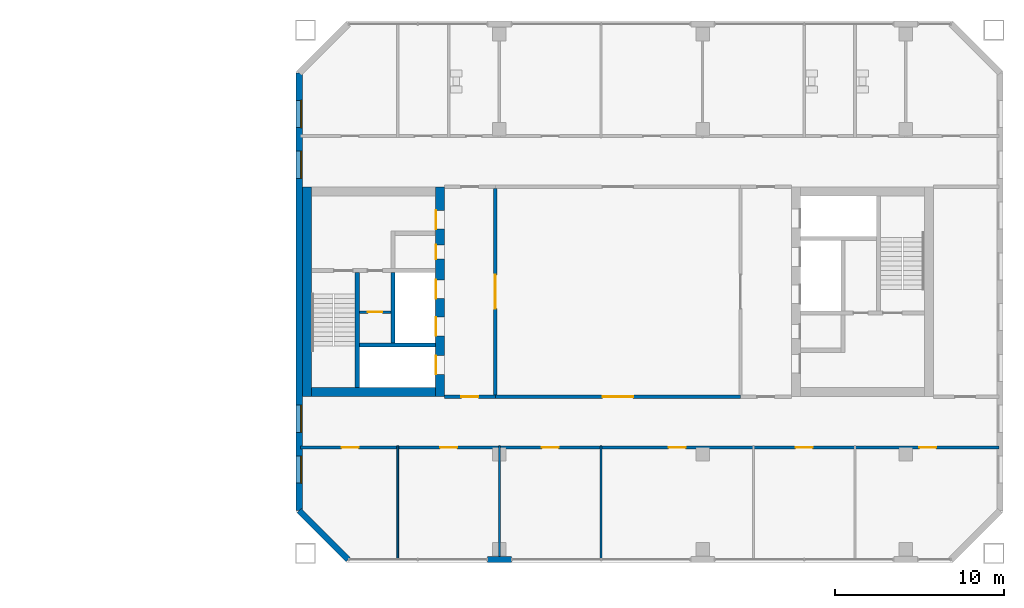
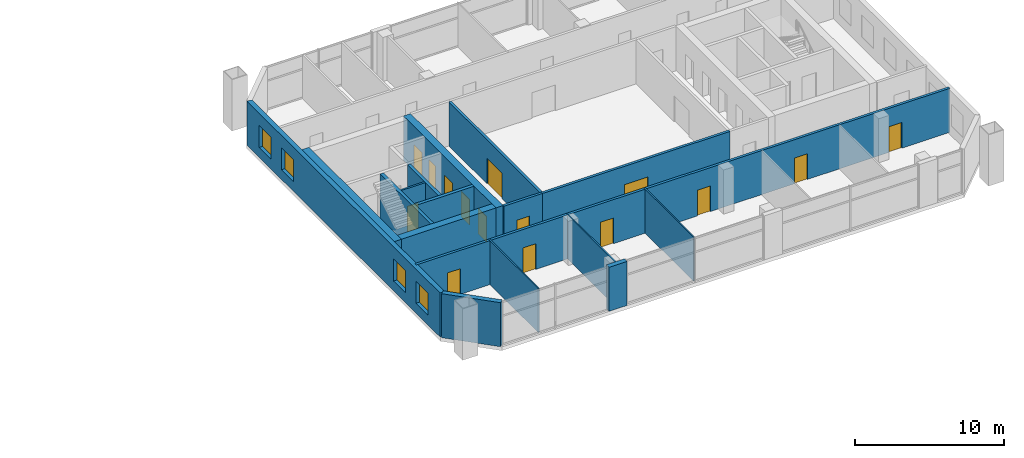
# One storey, part 12 of 17: 17 walls, 15 doors, 4 windows, 19 openings.
"""IFC4 building model written with IfcOpenShell, lengths in metres."""

from ifc_helpers import new_model, si_unit, direction, frame, frame_2d, origin, place, context, subcontext, project, spatial, rectangle, extrude, material, layer, layer_set, type_object, element, fill, save


model = new_model("IFC4")

# Units and contexts
model_context = context("Model", 3, precision=1e-05, world=origin(), true_north=direction((0.0, 1.0)))
body_context = subcontext(model_context, "Body", "Model", "MODEL_VIEW")
ifc_project = project(units=[si_unit("LENGTHUNIT", "METRE"), si_unit("AREAUNIT", "SQUARE_METRE"), si_unit("VOLUMEUNIT", "CUBIC_METRE"), si_unit("PLANEANGLEUNIT", "RADIAN"), si_unit("MASSUNIT", "GRAM", prefix="KILO")], contexts=[model_context])

# Site, building, storey
site_placement = place(None, origin())
site = spatial("IfcSite", under=ifc_project, at=site_placement, CompositionType="ELEMENT")
building_placement = place(site_placement, origin())
building = spatial("IfcBuilding", under=site, at=building_placement, Name="Tuart Gate Housing", CompositionType="ELEMENT")
storey_placement = place(building_placement, frame((0.0, 0.0, 119.5)))
storey = spatial("IfcBuildingStorey", under=building, at=storey_placement, Name="L33", CompositionType="ELEMENT", Elevation=119.5)

# Walls
ifc_material_1 = material(Name="Brick", Category="masonry")
ifc_layer_1 = layer(ifc_material_1, 0.360107421875)
ifc_layer_set_1 = layer_set([ifc_layer_1], Name="Brick pier and spandrel wall 360")
wall_type_1 = type_object("IfcWallType", Name="Brick pier and spandrel wall 360", PredefinedType="STANDARD", material=ifc_layer_set_1)
wall_1_placement = place(storey_placement, frame((131.179931640625, 57.07470703125, 0.0), z_axis=(0.0, 0.0, 1.0), x_axis=(0.707106781187, -0.707106781187, 0.0)))
element("IfcWall", 1, at=wall_1_placement, inside=storey, type_object=wall_type_1, Name="External wall B-SW L33", PredefinedType="STANDARD", context=body_context, shape_type="SweptSolid", body=[
    extrude(rectangle(XDim=4.09375, YDim=0.360107421875, at=frame_2d((2.046875, 0.0))), origin(), (0.0, 0.0, 1.0), 3.60009765625),
])
wall_2_placement = place(storey_placement, frame((142.300048828125, 54.179931640625, 0.0), z_axis=(0.0, 0.0, 1.0), x_axis=(1.0, 0.0, 0.0)))
element("IfcWall", 2, at=wall_2_placement, inside=storey, type_object=wall_type_1, Name="External wall B-S L33", PredefinedType="STANDARD", context=body_context, shape_type="SweptSolid", body=[
    extrude(rectangle(XDim=1.39990234375, YDim=0.360107421875, at=frame_2d((0.699951171875, 0.0))), origin(), (0.0, 0.0, 1.0), 3.60009765625),
])

# Wall, openings, windows
wall_3_placement = place(storey_placement, frame((131.179931640625, 82.92529296875, 0.0), z_axis=(0.0, 0.0, 1.0), x_axis=(0.0, -1.0, 0.0)))
wall_3 = element("IfcWall", 3, at=wall_3_placement, inside=storey, type_object=wall_type_1, Name="External wall B-W L33", PredefinedType="STANDARD", context=body_context, shape_type="SweptSolid", body=[
    extrude(rectangle(XDim=25.850830078125, YDim=0.360107421875, at=frame_2d((12.92529296875, 0.0))), origin(), (0.0, 0.0, 1.0), 3.60009765625),
])
opening_1_placement = place(wall_3_placement, frame((1.62548828125, 0.0, 0.800048828125)))
opening_1 = element("IfcOpeningElement", 4, at=opening_1_placement, cuts=wall_3, Name="Opening W1", PredefinedType="OPENING", context=body_context, shape_type="SweptSolid", body=[
    extrude(rectangle(XDim=1.60009765625, YDim=1.800048828125, at=frame_2d((0.800048828125, 0.89990234375))), frame((0.0, 0.18994140625, 0.0), z_axis=(0.0, -1.0, 0.0), x_axis=(1.0, 0.0, 0.0)), (0.0, 0.0, 1.0), 0.380126953125),
])
opening_2_placement = place(wall_3_placement, frame((4.62548828125, 0.0, 0.800048828125)))
opening_2 = element("IfcOpeningElement", 5, at=opening_2_placement, cuts=wall_3, Name="Opening W1", PredefinedType="OPENING", context=body_context, shape_type="SweptSolid", body=[
    extrude(rectangle(XDim=1.60009765625, YDim=1.800048828125, at=frame_2d((0.800048828125, 0.89990234375))), frame((0.0, 0.18994140625, 0.0), z_axis=(0.0, -1.0, 0.0), x_axis=(1.0, 0.0, 0.0)), (0.0, 0.0, 1.0), 0.380126953125),
])
opening_3_placement = place(wall_3_placement, frame((19.62548828125, 0.0, 0.800048828125)))
opening_3 = element("IfcOpeningElement", 6, at=opening_3_placement, cuts=wall_3, Name="Opening W1", PredefinedType="OPENING", context=body_context, shape_type="SweptSolid", body=[
    extrude(rectangle(XDim=1.60009765625, YDim=1.800048828125, at=frame_2d((0.800048828125, 0.89990234375))), frame((0.0, 0.18994140625, 0.0), z_axis=(0.0, -1.0, 0.0), x_axis=(1.0, 0.0, 0.0)), (0.0, 0.0, 1.0), 0.380126953125),
])
opening_4_placement = place(wall_3_placement, frame((22.62548828125, 0.0, 0.800048828125)))
opening_4 = element("IfcOpeningElement", 7, at=opening_4_placement, cuts=wall_3, Name="Opening W1", PredefinedType="OPENING", context=body_context, shape_type="SweptSolid", body=[
    extrude(rectangle(XDim=1.60009765625, YDim=1.800048828125, at=frame_2d((0.800048828125, 0.89990234375))), frame((0.0, 0.18994140625, 0.0), z_axis=(0.0, -1.0, 0.0), x_axis=(1.0, 0.0, 0.0)), (0.0, 0.0, 1.0), 0.380126953125),
])
ifc_material_2 = material(Name="Aluminium frame with clear glass", Category="aluminium")
window_type = type_object("IfcWindowType", Name="Punched window 1600 x 1800", PartitioningType="SINGLE_PANEL", PredefinedType="WINDOW", material=ifc_material_2)
window_1_placement = place(opening_1_placement, origin())
window_1 = element("IfcWindow", 8, at=window_1_placement, inside=storey, type_object=window_type, Name="Window W1", OverallHeight=1.800048828125, OverallWidth=1.60009765625, PartitioningType="SINGLE_PANEL", PredefinedType="WINDOW", context=body_context, shape_type="SweptSolid", body=[
    extrude(rectangle(XDim=1.60009765625, YDim=1.800048828125, at=frame_2d((0.800048828125, 0.89990234375))), frame((0.0, 0.150146484375, 0.0), z_axis=(0.0, -1.0, 0.0), x_axis=(1.0, 0.0, 0.0)), (0.0, 0.0, 1.0), 0.06005859375),
])
fill(opening_1, window_1)
window_2_placement = place(opening_2_placement, origin())
window_2 = element("IfcWindow", 9, at=window_2_placement, inside=storey, type_object=window_type, Name="Window W1", OverallHeight=1.800048828125, OverallWidth=1.60009765625, PartitioningType="SINGLE_PANEL", PredefinedType="WINDOW", context=body_context, shape_type="SweptSolid", body=[
    extrude(rectangle(XDim=1.60009765625, YDim=1.800048828125, at=frame_2d((0.800048828125, 0.89990234375))), frame((0.0, 0.150146484375, 0.0), z_axis=(0.0, -1.0, 0.0), x_axis=(1.0, 0.0, 0.0)), (0.0, 0.0, 1.0), 0.06005859375),
])
fill(opening_2, window_2)
window_3_placement = place(opening_3_placement, origin())
window_3 = element("IfcWindow", 10, at=window_3_placement, inside=storey, type_object=window_type, Name="Window W1", OverallHeight=1.800048828125, OverallWidth=1.60009765625, PartitioningType="SINGLE_PANEL", PredefinedType="WINDOW", context=body_context, shape_type="SweptSolid", body=[
    extrude(rectangle(XDim=1.60009765625, YDim=1.800048828125, at=frame_2d((0.800048828125, 0.89990234375))), frame((0.0, 0.150146484375, 0.0), z_axis=(0.0, -1.0, 0.0), x_axis=(1.0, 0.0, 0.0)), (0.0, 0.0, 1.0), 0.06005859375),
])
fill(opening_3, window_3)
window_4_placement = place(opening_4_placement, origin())
window_4 = element("IfcWindow", 11, at=window_4_placement, inside=storey, type_object=window_type, Name="Window W1", OverallHeight=1.800048828125, OverallWidth=1.60009765625, PartitioningType="SINGLE_PANEL", PredefinedType="WINDOW", context=body_context, shape_type="SweptSolid", body=[
    extrude(rectangle(XDim=1.60009765625, YDim=1.800048828125, at=frame_2d((0.800048828125, 0.89990234375))), frame((0.0, 0.150146484375, 0.0), z_axis=(0.0, -1.0, 0.0), x_axis=(1.0, 0.0, 0.0)), (0.0, 0.0, 1.0), 0.06005859375),
])
fill(opening_4, window_4)

# Wall, opening, door
ifc_material_3 = material(Name="Plasterboard partition")
ifc_layer_2 = layer(ifc_material_3, 0.14990234375)
ifc_layer_set_2 = layer_set([ifc_layer_2], Name="Core partition 150")
wall_type_2 = type_object("IfcWallType", Name="Core partition 150", PredefinedType="PARTITIONING", material=ifc_layer_set_2)
wall_4_placement = place(storey_placement, frame((136.5849609375, 68.800048828125, 0.0), z_axis=(0.0, 0.0, 1.0), x_axis=(-1.0, 0.0, 0.0)))
wall_4 = element("IfcWall", 12, at=wall_4_placement, inside=storey, type_object=wall_type_2, Name="Core partition BG.2", PredefinedType="PARTITIONING", context=body_context, shape_type="SweptSolid", body=[
    extrude(rectangle(XDim=1.849853515625, YDim=0.14990234375, at=frame_2d((0.9248046875, 0.0))), origin(), (0.0, 0.0, 1.0), 3.60009765625),
])
opening_5_placement = place(wall_4_placement, frame((0.5, 0.0, 0.0)))
opening_5 = element("IfcOpeningElement", 13, at=opening_5_placement, cuts=wall_4, Name="Opening D194", PredefinedType="OPENING", context=body_context, shape_type="SweptSolid", body=[
    extrude(rectangle(XDim=0.85009765625, YDim=2.10009765625, at=frame_2d((0.425048828125, 1.050048828125))), frame((0.0, 0.0849609375, 0.0), z_axis=(0.0, -1.0, 0.0), x_axis=(1.0, 0.0, 0.0)), (0.0, 0.0, 1.0), 0.169921875),
])
ifc_material_4 = material(Name="Steel fire door", Category="steel")
door_type_1 = type_object("IfcDoorType", Name="Service door 850 x 2100 RH", OperationType="SINGLE_SWING_RIGHT", PredefinedType="DOOR", material=ifc_material_4)
door_1_placement = place(opening_5_placement, frame((0.85009765625, 0.0, 0.0), z_axis=(0.0, 0.0, 1.0), x_axis=(-1.0, 0.0, 0.0)))
door_1 = element("IfcDoor", 14, at=door_1_placement, inside=storey, type_object=door_type_1, Name="Service room door BG.W2", OperationType="SINGLE_SWING_RIGHT", OverallHeight=2.10009765625, OverallWidth=0.85009765625, PredefinedType="DOOR", context=body_context, shape_type="SweptSolid", body=[
    extrude(rectangle(XDim=0.85009765625, YDim=2.10009765625, at=frame_2d((0.425048828125, 1.050048828125))), frame((0.0, 0.025146484375, 0.0), z_axis=(0.0, -1.0, 0.0), x_axis=(1.0, 0.0, 0.0)), (0.0, 0.0, 1.0), 0.050048828125),
])
fill(opening_5, door_1)

# Walls
ifc_material_5 = material(Name="Concrete C50", Category="concrete")
ifc_layer_3 = layer(ifc_material_5, 0.25)
ifc_layer_set_3 = layer_set([ifc_layer_3], Name="Core wall 250 C50")
wall_type_3 = type_object("IfcWallType", Name="Core wall 250 C50", PredefinedType="SHEAR", material=ifc_layer_set_3)
wall_5_placement = place(storey_placement, frame((139.2099609375, 66.85009765625, 0.0), z_axis=(0.0, 0.0, 1.0), x_axis=(-1.0, 0.0, 0.0)))
element("IfcWall", 15, at=wall_5_placement, inside=storey, type_object=wall_type_3, Name="Core wall BG.1", PredefinedType="SHEAR", context=body_context, shape_type="SweptSolid", body=[
    extrude(rectangle(XDim=4.474853515625, YDim=0.25, at=frame_2d((2.2373046875, 0.0))), origin(), (0.0, 0.0, 1.0), 3.60009765625),
])
wall_6_placement = place(storey_placement, frame((136.7099609375, 66.97509765625, 0.0), z_axis=(0.0, 0.0, 1.0), x_axis=(0.0, 1.0, 0.0)))
element("IfcWall", 16, at=wall_6_placement, inside=storey, type_object=wall_type_3, Name="Core wall BG.5", PredefinedType="SHEAR", context=body_context, shape_type="SweptSolid", body=[
    extrude(rectangle(XDim=4.14990234375, YDim=0.25, at=frame_2d((2.074951171875, 0.0))), origin(), (0.0, 0.0, 1.0), 3.60009765625),
])
wall_7_placement = place(storey_placement, frame((134.610107421875, 64.35009765625, 0.0), z_axis=(0.0, 0.0, 1.0), x_axis=(0.0, 1.0, 0.0)))
element("IfcWall", 17, at=wall_7_placement, inside=storey, type_object=wall_type_3, Name="Core wall BG.7", PredefinedType="SHEAR", context=body_context, shape_type="SweptSolid", body=[
    extrude(rectangle(XDim=6.77490234375, YDim=0.25, at=frame_2d((3.387451171875, 0.0))), origin(), (0.0, 0.0, 1.0), 3.60009765625),
])

# Wall, openings, doors
ifc_material_6 = material(Name="Concrete C50", Category="concrete")
ifc_layer_4 = layer(ifc_material_6, 0.550048828125)
ifc_layer_set_4 = layer_set([ifc_layer_4], Name="Core wall 550 C50")
wall_type_4 = type_object("IfcWallType", Name="Core wall 550 C50", PredefinedType="SHEAR", material=ifc_layer_set_4)
wall_8_placement = place(storey_placement, frame((139.485107421875, 63.800048828125, 0.0), z_axis=(0.0, 0.0, 1.0), x_axis=(0.0, 1.0, 0.0)))
wall_8 = element("IfcWall", 18, at=wall_8_placement, inside=storey, type_object=wall_type_4, Name="Core wall BG front", PredefinedType="SHEAR", context=body_context, shape_type="SweptSolid", body=[
    extrude(rectangle(XDim=12.39990234375, YDim=0.550048828125, at=frame_2d((6.199951171875, 0.0))), origin(), (0.0, 0.0, 1.0), 3.60009765625),
])
opening_6_placement = place(wall_8_placement, frame((1.324951171875, 0.0, 0.0)))
opening_6 = element("IfcOpeningElement", 19, at=opening_6_placement, cuts=wall_8, Name="Opening LD-FB1", PredefinedType="OPENING", context=body_context, shape_type="SweptSolid", body=[
    extrude(rectangle(XDim=1.10009765625, YDim=2.10009765625, at=frame_2d((0.550048828125, 1.050048828125))), frame((0.0, 0.284912109375, 0.0), z_axis=(0.0, -1.0, 0.0), x_axis=(1.0, 0.0, 0.0)), (0.0, 0.0, 1.0), 0.570068359375),
])
opening_7_placement = place(wall_8_placement, frame((3.60009765625, 0.0, 0.0)))
opening_7 = element("IfcOpeningElement", 20, at=opening_7_placement, cuts=wall_8, Name="Opening LD-LB1", PredefinedType="OPENING", context=body_context, shape_type="SweptSolid", body=[
    extrude(rectangle(XDim=1.10009765625, YDim=2.10009765625, at=frame_2d((0.550048828125, 1.050048828125))), frame((0.0, 0.284912109375, 0.0), z_axis=(0.0, -1.0, 0.0), x_axis=(1.0, 0.0, 0.0)), (0.0, 0.0, 1.0), 0.570068359375),
])
opening_8_placement = place(wall_8_placement, frame((5.800048828125, 0.0, 0.0)))
opening_8 = element("IfcOpeningElement", 21, at=opening_8_placement, cuts=wall_8, Name="Opening LD-LB2", PredefinedType="OPENING", context=body_context, shape_type="SweptSolid", body=[
    extrude(rectangle(XDim=1.10009765625, YDim=2.10009765625, at=frame_2d((0.550048828125, 1.050048828125))), frame((0.0, 0.284912109375, 0.0), z_axis=(0.0, -1.0, 0.0), x_axis=(1.0, 0.0, 0.0)), (0.0, 0.0, 1.0), 0.570068359375),
])
opening_9_placement = place(wall_8_placement, frame((9.89990234375, 0.0, 0.0)))
opening_9 = element("IfcOpeningElement", 22, at=opening_9_placement, cuts=wall_8, Name="Opening D188", PredefinedType="OPENING", context=body_context, shape_type="SweptSolid", body=[
    extrude(rectangle(XDim=1.10009765625, YDim=2.10009765625, at=frame_2d((0.550048828125, 1.050048828125))), frame((0.0, 0.284912109375, 0.0), z_axis=(0.0, -1.0, 0.0), x_axis=(1.0, 0.0, 0.0)), (0.0, 0.0, 1.0), 0.570068359375),
])
opening_10_placement = place(wall_8_placement, frame((8.125, 0.0, 0.0)))
opening_10 = element("IfcOpeningElement", 23, at=opening_10_placement, cuts=wall_8, Name="Opening D189", PredefinedType="OPENING", context=body_context, shape_type="SweptSolid", body=[
    extrude(rectangle(XDim=0.85009765625, YDim=2.10009765625, at=frame_2d((0.425048828125, 1.050048828125))), frame((0.0, 0.284912109375, 0.0), z_axis=(0.0, -1.0, 0.0), x_axis=(1.0, 0.0, 0.0)), (0.0, 0.0, 1.0), 0.570068359375),
])
ifc_material_7 = material(Name="Stainless steel", Category="steel")
door_type_2 = type_object("IfcDoorType", Name="Landing door 1100 x 2100", OperationType="DOUBLE_DOOR_SLIDING", PredefinedType="DOOR", material=ifc_material_7)
door_2_placement = place(opening_6_placement, origin())
door_2 = element("IfcDoor", 24, at=door_2_placement, inside=storey, type_object=door_type_2, Name="Lift landing door FB1", OperationType="DOUBLE_DOOR_SLIDING", OverallHeight=2.10009765625, OverallWidth=1.10009765625, PredefinedType="DOOR", context=body_context, shape_type="SweptSolid", body=[
    extrude(rectangle(XDim=1.10009765625, YDim=2.10009765625, at=frame_2d((0.550048828125, 1.050048828125))), frame((0.0, 0.26025390625, 0.0), z_axis=(0.0, -1.0, 0.0), x_axis=(1.0, 0.0, 0.0)), (0.0, 0.0, 1.0), 0.050048828125),
])
fill(opening_6, door_2)
door_3_placement = place(opening_7_placement, origin())
door_3 = element("IfcDoor", 25, at=door_3_placement, inside=storey, type_object=door_type_2, Name="Lift landing door LB1", OperationType="DOUBLE_DOOR_SLIDING", OverallHeight=2.10009765625, OverallWidth=1.10009765625, PredefinedType="DOOR", context=body_context, shape_type="SweptSolid", body=[
    extrude(rectangle(XDim=1.10009765625, YDim=2.10009765625, at=frame_2d((0.550048828125, 1.050048828125))), frame((0.0, 0.26025390625, 0.0), z_axis=(0.0, -1.0, 0.0), x_axis=(1.0, 0.0, 0.0)), (0.0, 0.0, 1.0), 0.050048828125),
])
fill(opening_7, door_3)
door_4_placement = place(opening_8_placement, origin())
door_4 = element("IfcDoor", 26, at=door_4_placement, inside=storey, type_object=door_type_2, Name="Lift landing door LB2", OperationType="DOUBLE_DOOR_SLIDING", OverallHeight=2.10009765625, OverallWidth=1.10009765625, PredefinedType="DOOR", context=body_context, shape_type="SweptSolid", body=[
    extrude(rectangle(XDim=1.10009765625, YDim=2.10009765625, at=frame_2d((0.550048828125, 1.050048828125))), frame((0.0, 0.26025390625, 0.0), z_axis=(0.0, -1.0, 0.0), x_axis=(1.0, 0.0, 0.0)), (0.0, 0.0, 1.0), 0.050048828125),
])
fill(opening_8, door_4)
ifc_material_8 = material(Name="Steel fire door", Category="steel")
door_type_3 = type_object("IfcDoorType", Name="Lobby door 1100 x 2100", OperationType="SINGLE_SWING_LEFT", PredefinedType="DOOR", material=ifc_material_8)
door_5_placement = place(opening_9_placement, origin())
door_5 = element("IfcDoor", 27, at=door_5_placement, inside=storey, type_object=door_type_3, Name="Lobby entry door BG.EN", OperationType="SINGLE_SWING_LEFT", OverallHeight=2.10009765625, OverallWidth=1.10009765625, PredefinedType="DOOR", context=body_context, shape_type="SweptSolid", body=[
    extrude(rectangle(XDim=1.10009765625, YDim=2.10009765625, at=frame_2d((0.550048828125, 1.050048828125))), frame((0.0, 0.26025390625, 0.0), z_axis=(0.0, -1.0, 0.0), x_axis=(1.0, 0.0, 0.0)), (0.0, 0.0, 1.0), 0.050048828125),
])
fill(opening_9, door_5)
ifc_material_9 = material(Name="Steel fire door", Category="steel")
door_type_4 = type_object("IfcDoorType", Name="Service door 850 x 2100", OperationType="SINGLE_SWING_LEFT", PredefinedType="DOOR", material=ifc_material_9)
door_6_placement = place(opening_10_placement, origin())
door_6 = element("IfcDoor", 28, at=door_6_placement, inside=storey, type_object=door_type_4, Name="Service room door BG.T1", OperationType="SINGLE_SWING_LEFT", OverallHeight=2.10009765625, OverallWidth=0.85009765625, PredefinedType="DOOR", context=body_context, shape_type="SweptSolid", body=[
    extrude(rectangle(XDim=0.85009765625, YDim=2.10009765625, at=frame_2d((0.425048828125, 1.050048828125))), frame((0.0, 0.26025390625, 0.0), z_axis=(0.0, -1.0, 0.0), x_axis=(1.0, 0.0, 0.0)), (0.0, 0.0, 1.0), 0.050048828125),
])
fill(opening_10, door_6)

# Walls
wall_9_placement = place(storey_placement, frame((131.635009765625, 63.800048828125, 0.0), z_axis=(0.0, 0.0, 1.0), x_axis=(0.0, 1.0, 0.0)))
element("IfcWall", 29, at=wall_9_placement, inside=storey, type_object=wall_type_4, Name="Core wall BG back", PredefinedType="SHEAR", context=body_context, shape_type="SweptSolid", body=[
    extrude(rectangle(XDim=12.39990234375, YDim=0.550048828125, at=frame_2d((6.199951171875, 0.0))), origin(), (0.0, 0.0, 1.0), 3.60009765625),
])
wall_10_placement = place(storey_placement, frame((139.2099609375, 64.074951171875, 0.0), z_axis=(0.0, 0.0, 1.0), x_axis=(-1.0, 0.0, 0.0)))
element("IfcWall", 30, at=wall_10_placement, inside=storey, type_object=wall_type_4, Name="Core wall BG south", PredefinedType="SHEAR", context=body_context, shape_type="SweptSolid", body=[
    extrude(rectangle(XDim=7.300048828125, YDim=0.550048828125, at=frame_2d((3.64990234375, 0.0))), origin(), (0.0, 0.0, 1.0), 3.60009765625),
])

# Wall, openings, doors
ifc_material_10 = material(Name="Concrete masonry 15 MPa", Category="masonry")
ifc_layer_5 = layer(ifc_material_10, 0.199951171875)
ifc_layer_set_5 = layer_set([ifc_layer_5], Name="Corridor wall masonry 200")
wall_type_5 = type_object("IfcWallType", Name="Corridor wall masonry 200", PredefinedType="PARTITIONING", material=ifc_layer_set_5)
wall_11_placement = place(storey_placement, frame((131.239990234375, 60.800048828125, 0.0), z_axis=(0.0, 0.0, 1.0), x_axis=(1.0, 0.0, 0.0)))
wall_11 = element("IfcWall", 31, at=wall_11_placement, inside=storey, type_object=wall_type_5, Name="Corridor wall masonry 200", PredefinedType="PARTITIONING", context=body_context, shape_type="SweptSolid", body=[
    extrude(rectangle(XDim=41.27001953125, YDim=0.199951171875, at=frame_2d((20.635009765625, 0.0))), origin(), (0.0, 0.0, 1.0), 3.60009765625),
])
opening_11_placement = place(wall_11_placement, frame((2.43994140625, 0.0, 0.0)))
opening_11 = element("IfcOpeningElement", 32, at=opening_11_placement, cuts=wall_11, Name="Opening D201", PredefinedType="OPENING", context=body_context, shape_type="SweptSolid", body=[
    extrude(rectangle(XDim=1.0, YDim=2.10009765625, at=frame_2d((0.5, 1.050048828125))), frame((0.0, 0.10986328125, 0.0), z_axis=(0.0, -1.0, 0.0), x_axis=(1.0, 0.0, 0.0)), (0.0, 0.0, 1.0), 0.219970703125),
])
opening_12_placement = place(wall_11_placement, frame((8.260009765625, 0.0, 0.0)))
opening_12 = element("IfcOpeningElement", 33, at=opening_12_placement, cuts=wall_11, Name="Opening D202", PredefinedType="OPENING", context=body_context, shape_type="SweptSolid", body=[
    extrude(rectangle(XDim=1.0, YDim=2.10009765625, at=frame_2d((0.5, 1.050048828125))), frame((0.0, 0.10986328125, 0.0), z_axis=(0.0, -1.0, 0.0), x_axis=(1.0, 0.0, 0.0)), (0.0, 0.0, 1.0), 0.219970703125),
])
opening_13_placement = place(wall_11_placement, frame((14.260009765625, 0.0, 0.0)))
opening_13 = element("IfcOpeningElement", 34, at=opening_13_placement, cuts=wall_11, Name="Opening D203", PredefinedType="OPENING", context=body_context, shape_type="SweptSolid", body=[
    extrude(rectangle(XDim=1.0, YDim=2.10009765625, at=frame_2d((0.5, 1.050048828125))), frame((0.0, 0.10986328125, 0.0), z_axis=(0.0, -1.0, 0.0), x_axis=(1.0, 0.0, 0.0)), (0.0, 0.0, 1.0), 0.219970703125),
])
opening_14_placement = place(wall_11_placement, frame((21.760009765625, 0.0, 0.0)))
opening_14 = element("IfcOpeningElement", 35, at=opening_14_placement, cuts=wall_11, Name="Opening D204", PredefinedType="OPENING", context=body_context, shape_type="SweptSolid", body=[
    extrude(rectangle(XDim=1.0, YDim=2.10009765625, at=frame_2d((0.5, 1.050048828125))), frame((0.0, 0.10986328125, 0.0), z_axis=(0.0, -1.0, 0.0), x_axis=(1.0, 0.0, 0.0)), (0.0, 0.0, 1.0), 0.219970703125),
])
opening_15_placement = place(wall_11_placement, frame((29.260009765625, 0.0, 0.0)))
opening_15 = element("IfcOpeningElement", 36, at=opening_15_placement, cuts=wall_11, Name="Opening D205", PredefinedType="OPENING", context=body_context, shape_type="SweptSolid", body=[
    extrude(rectangle(XDim=1.0, YDim=2.10009765625, at=frame_2d((0.5, 1.050048828125))), frame((0.0, 0.10986328125, 0.0), z_axis=(0.0, -1.0, 0.0), x_axis=(1.0, 0.0, 0.0)), (0.0, 0.0, 1.0), 0.219970703125),
])
opening_16_placement = place(wall_11_placement, frame((36.554931640625, 0.0, 0.0)))
opening_16 = element("IfcOpeningElement", 37, at=opening_16_placement, cuts=wall_11, Name="Opening D206", PredefinedType="OPENING", context=body_context, shape_type="SweptSolid", body=[
    extrude(rectangle(XDim=1.0, YDim=2.10009765625, at=frame_2d((0.5, 1.050048828125))), frame((0.0, 0.10986328125, 0.0), z_axis=(0.0, -1.0, 0.0), x_axis=(1.0, 0.0, 0.0)), (0.0, 0.0, 1.0), 0.219970703125),
])
ifc_material_11 = material(Name="Timber door leaf in steel frame", Category="steel")
door_type_5 = type_object("IfcDoorType", Name="Fire door 1000", OperationType="SINGLE_SWING_LEFT", PredefinedType="DOOR", material=ifc_material_11)
door_7_placement = place(opening_16_placement, frame((1.0, 0.0, 0.0), z_axis=(0.0, 0.0, 1.0), x_axis=(-1.0, 0.0, 0.0)))
door_7 = element("IfcDoor", 38, at=door_7_placement, inside=storey, type_object=door_type_5, Name="Fire door 1000", OperationType="SINGLE_SWING_LEFT", OverallHeight=2.10009765625, OverallWidth=1.0, PredefinedType="DOOR", context=body_context, shape_type="SweptSolid", body=[
    extrude(rectangle(XDim=1.0, YDim=2.10009765625, at=frame_2d((0.5, 1.050048828125))), frame((0.0, 0.025146484375, 0.0), z_axis=(0.0, -1.0, 0.0), x_axis=(1.0, 0.0, 0.0)), (0.0, 0.0, 1.0), 0.050048828125),
])
fill(opening_16, door_7)
ifc_material_12 = material(Name="Timber door leaf in steel frame", Category="steel")
door_type_6 = type_object("IfcDoorType", Name="Fire door 1000 RH", OperationType="SINGLE_SWING_RIGHT", PredefinedType="DOOR", material=ifc_material_12)
door_8_placement = place(opening_11_placement, frame((1.0, 0.0, 0.0), z_axis=(0.0, 0.0, 1.0), x_axis=(-1.0, 0.0, 0.0)))
door_8 = element("IfcDoor", 39, at=door_8_placement, inside=storey, type_object=door_type_6, Name="Fire door 1000", OperationType="SINGLE_SWING_RIGHT", OverallHeight=2.10009765625, OverallWidth=1.0, PredefinedType="DOOR", context=body_context, shape_type="SweptSolid", body=[
    extrude(rectangle(XDim=1.0, YDim=2.10009765625, at=frame_2d((0.5, 1.050048828125))), frame((0.0, 0.025146484375, 0.0), z_axis=(0.0, -1.0, 0.0), x_axis=(1.0, 0.0, 0.0)), (0.0, 0.0, 1.0), 0.050048828125),
])
fill(opening_11, door_8)
door_9_placement = place(opening_12_placement, frame((1.0, 0.0, 0.0), z_axis=(0.0, 0.0, 1.0), x_axis=(-1.0, 0.0, 0.0)))
door_9 = element("IfcDoor", 40, at=door_9_placement, inside=storey, type_object=door_type_6, Name="Fire door 1000", OperationType="SINGLE_SWING_RIGHT", OverallHeight=2.10009765625, OverallWidth=1.0, PredefinedType="DOOR", context=body_context, shape_type="SweptSolid", body=[
    extrude(rectangle(XDim=1.0, YDim=2.10009765625, at=frame_2d((0.5, 1.050048828125))), frame((0.0, 0.025146484375, 0.0), z_axis=(0.0, -1.0, 0.0), x_axis=(1.0, 0.0, 0.0)), (0.0, 0.0, 1.0), 0.050048828125),
])
fill(opening_12, door_9)
door_10_placement = place(opening_13_placement, frame((1.0, 0.0, 0.0), z_axis=(0.0, 0.0, 1.0), x_axis=(-1.0, 0.0, 0.0)))
door_10 = element("IfcDoor", 41, at=door_10_placement, inside=storey, type_object=door_type_6, Name="Fire door 1000", OperationType="SINGLE_SWING_RIGHT", OverallHeight=2.10009765625, OverallWidth=1.0, PredefinedType="DOOR", context=body_context, shape_type="SweptSolid", body=[
    extrude(rectangle(XDim=1.0, YDim=2.10009765625, at=frame_2d((0.5, 1.050048828125))), frame((0.0, 0.025146484375, 0.0), z_axis=(0.0, -1.0, 0.0), x_axis=(1.0, 0.0, 0.0)), (0.0, 0.0, 1.0), 0.050048828125),
])
fill(opening_13, door_10)
door_11_placement = place(opening_14_placement, frame((1.0, 0.0, 0.0), z_axis=(0.0, 0.0, 1.0), x_axis=(-1.0, 0.0, 0.0)))
door_11 = element("IfcDoor", 42, at=door_11_placement, inside=storey, type_object=door_type_6, Name="Fire door 1000", OperationType="SINGLE_SWING_RIGHT", OverallHeight=2.10009765625, OverallWidth=1.0, PredefinedType="DOOR", context=body_context, shape_type="SweptSolid", body=[
    extrude(rectangle(XDim=1.0, YDim=2.10009765625, at=frame_2d((0.5, 1.050048828125))), frame((0.0, 0.025146484375, 0.0), z_axis=(0.0, -1.0, 0.0), x_axis=(1.0, 0.0, 0.0)), (0.0, 0.0, 1.0), 0.050048828125),
])
fill(opening_14, door_11)
door_12_placement = place(opening_15_placement, frame((1.0, 0.0, 0.0), z_axis=(0.0, 0.0, 1.0), x_axis=(-1.0, 0.0, 0.0)))
door_12 = element("IfcDoor", 43, at=door_12_placement, inside=storey, type_object=door_type_6, Name="Fire door 1000", OperationType="SINGLE_SWING_RIGHT", OverallHeight=2.10009765625, OverallWidth=1.0, PredefinedType="DOOR", context=body_context, shape_type="SweptSolid", body=[
    extrude(rectangle(XDim=1.0, YDim=2.10009765625, at=frame_2d((0.5, 1.050048828125))), frame((0.0, 0.025146484375, 0.0), z_axis=(0.0, -1.0, 0.0), x_axis=(1.0, 0.0, 0.0)), (0.0, 0.0, 1.0), 0.050048828125),
])
fill(opening_15, door_12)

# Wall, opening, door
wall_12_placement = place(storey_placement, frame((142.760009765625, 63.800048828125, 0.0), z_axis=(0.0, 0.0, 1.0), x_axis=(1.0, 0.0, 0.0)))
wall_12 = element("IfcWall", 44, at=wall_12_placement, inside=storey, type_object=wall_type_5, Name="Corridor wall masonry 200", PredefinedType="PARTITIONING", context=body_context, shape_type="SweptSolid", body=[
    extrude(rectangle(XDim=14.47998046875, YDim=0.199951171875, at=frame_2d((7.239990234375, 0.0))), origin(), (0.0, 0.0, 1.0), 3.60009765625),
])
opening_17_placement = place(wall_12_placement, frame((6.340087890625, 0.0, 0.0)))
opening_17 = element("IfcOpeningElement", 45, at=opening_17_placement, cuts=wall_12, Name="Opening D198", PredefinedType="OPENING", context=body_context, shape_type="SweptSolid", body=[
    extrude(rectangle(XDim=1.800048828125, YDim=2.10009765625, at=frame_2d((0.89990234375, 1.050048828125))), frame((0.0, 0.10986328125, 0.0), z_axis=(0.0, -1.0, 0.0), x_axis=(1.0, 0.0, 0.0)), (0.0, 0.0, 1.0), 0.219970703125),
])
ifc_material_13 = material(Name="Timber door leaf in steel frame", Category="steel")
door_type_7 = type_object("IfcDoorType", Name="Double door 1800", OperationType="DOUBLE_DOOR_SINGLE_SWING", PredefinedType="DOOR", material=ifc_material_13)
door_13_placement = place(opening_17_placement, frame((1.800048828125, 0.0, 0.0), z_axis=(0.0, 0.0, 1.0), x_axis=(-1.0, 0.0, 0.0)))
door_13 = element("IfcDoor", 46, at=door_13_placement, inside=storey, type_object=door_type_7, Name="Double door 1800", OperationType="DOUBLE_DOOR_SINGLE_SWING", OverallHeight=2.10009765625, OverallWidth=1.800048828125, PredefinedType="DOOR", context=body_context, shape_type="SweptSolid", body=[
    extrude(rectangle(XDim=1.800048828125, YDim=2.10009765625, at=frame_2d((0.900146484375, 1.050048828125))), frame((0.0, 0.025146484375, 0.0), z_axis=(0.0, -1.0, 0.0), x_axis=(1.0, 0.0, 0.0)), (0.0, 0.0, 1.0), 0.050048828125),
])
fill(opening_17, door_13)

ifc_material_14 = material(Name="Concrete masonry 15 MPa", Category="masonry")
ifc_layer_6 = layer(ifc_material_14, 0.199951171875)
ifc_layer_set_6 = layer_set([ifc_layer_6], Name="Enclosure wall masonry 200")
wall_type_6 = type_object("IfcWallType", Name="Enclosure wall masonry 200", PredefinedType="PARTITIONING", material=ifc_layer_set_6)
wall_13_placement = place(storey_placement, frame((139.760009765625, 63.800048828125, 0.0), z_axis=(0.0, 0.0, 1.0), x_axis=(1.0, 0.0, 0.0)))
wall_13 = element("IfcWall", 47, at=wall_13_placement, inside=storey, type_object=wall_type_6, Name="Enclosure wall masonry 200", PredefinedType="PARTITIONING", context=body_context, shape_type="SweptSolid", body=[
    extrude(rectangle(XDim=3.0, YDim=0.199951171875, at=frame_2d((1.5, 0.0))), origin(), (0.0, 0.0, 1.0), 3.60009765625),
])
opening_18_placement = place(wall_13_placement, frame((1.0, 0.0, 0.0)))
opening_18 = element("IfcOpeningElement", 48, at=opening_18_placement, cuts=wall_13, Name="Opening D197", PredefinedType="OPENING", context=body_context, shape_type="SweptSolid", body=[
    extrude(rectangle(XDim=1.0, YDim=2.10009765625, at=frame_2d((0.5, 1.050048828125))), frame((0.0, 0.10986328125, 0.0), z_axis=(0.0, -1.0, 0.0), x_axis=(1.0, 0.0, 0.0)), (0.0, 0.0, 1.0), 0.219970703125),
])
ifc_material_15 = material(Name="Timber door leaf in steel frame", Category="steel")
door_type_8 = type_object("IfcDoorType", Name="Lobby door 1000 RH", OperationType="SINGLE_SWING_RIGHT", PredefinedType="DOOR", material=ifc_material_15)
door_14_placement = place(opening_18_placement, origin())
door_14 = element("IfcDoor", 49, at=door_14_placement, inside=storey, type_object=door_type_8, Name="Lobby door 1000", OperationType="SINGLE_SWING_RIGHT", OverallHeight=2.10009765625, OverallWidth=1.0, PredefinedType="DOOR", context=body_context, shape_type="SweptSolid", body=[
    extrude(rectangle(XDim=1.0, YDim=2.10009765625, at=frame_2d((0.5, 1.050048828125))), frame((0.0, 0.02490234375, 0.0), z_axis=(0.0, -1.0, 0.0), x_axis=(1.0, 0.0, 0.0)), (0.0, 0.0, 1.0), 0.050048828125),
])
fill(opening_18, door_14)

ifc_material_16 = material(Name="Plasterboard partition")
ifc_layer_7 = layer(ifc_material_16, 0.199951171875)
ifc_layer_set_7 = layer_set([ifc_layer_7], Name="Lobby wall 200")
wall_type_7 = type_object("IfcWallType", Name="Lobby wall 200", PredefinedType="PARTITIONING", material=ifc_layer_set_7)
wall_14_placement = place(storey_placement, frame((142.760009765625, 63.89990234375, 0.0), z_axis=(0.0, 0.0, 1.0), x_axis=(0.0, 1.0, 0.0)))
wall_14 = element("IfcWall", 50, at=wall_14_placement, inside=storey, type_object=wall_type_7, Name="Lift lobby wall BG", PredefinedType="PARTITIONING", context=body_context, shape_type="SweptSolid", body=[
    extrude(rectangle(XDim=12.2001953125, YDim=0.199951171875, at=frame_2d((6.10009765625, 0.0))), origin(), (0.0, 0.0, 1.0), 3.60009765625),
])
opening_19_placement = place(wall_14_placement, frame((5.10009765625, 0.0, 0.0)))
opening_19 = element("IfcOpeningElement", 51, at=opening_19_placement, cuts=wall_14, Name="Opening D190", PredefinedType="OPENING", context=body_context, shape_type="SweptSolid", body=[
    extrude(rectangle(XDim=2.0, YDim=2.10009765625, at=frame_2d((1.0, 1.050048828125))), frame((0.0, 0.10986328125, 0.0), z_axis=(0.0, -1.0, 0.0), x_axis=(1.0, 0.0, 0.0)), (0.0, 0.0, 1.0), 0.219970703125),
])
ifc_material_17 = material(Name="Steel fire door", Category="steel")
door_type_9 = type_object("IfcDoorType", Name="Smoke door 2000 x 2100", OperationType="DOUBLE_DOOR_SINGLE_SWING", PredefinedType="DOOR", material=ifc_material_17)
door_15_placement = place(opening_19_placement, origin())
door_15 = element("IfcDoor", 52, at=door_15_placement, inside=storey, type_object=door_type_9, Name="Lift lobby smoke door BG", OperationType="DOUBLE_DOOR_SINGLE_SWING", OverallHeight=2.10009765625, OverallWidth=2.0, PredefinedType="DOOR", context=body_context, shape_type="SweptSolid", body=[
    extrude(rectangle(XDim=2.0, YDim=2.10009765625, at=frame_2d((1.0, 1.050048828125))), frame((0.0, 0.02490234375, 0.0), z_axis=(0.0, -1.0, 0.0), x_axis=(1.0, 0.0, 0.0)), (0.0, 0.0, 1.0), 0.050048828125),
])
fill(opening_19, door_15)

# Walls
ifc_material_18 = material(Name="Gypsum board on steel studs", Category="steel")
ifc_layer_8 = layer(ifc_material_18, 0.10009765625)
ifc_layer_set_8 = layer_set([ifc_layer_8], Name="Partition 100")
wall_type_8 = type_object("IfcWallType", Name="Partition 100", PredefinedType="PARTITIONING", material=ifc_layer_set_8)
for number, where, z_axis, x_axis, name in (
    (53, (137.0, 54.239990234375, 0.0), (0.0, 0.0, 1.0), (0.0, 1.0, 0.0), "Partition 100"),
    (54, (143.0, 54.239990234375, 0.0), (0.0, 0.0, 1.0), (0.0, 1.0, 0.0), "Partition 100"),
    (55, (149.0, 54.239990234375, 0.0), (0.0, 0.0, 1.0), (0.0, 1.0, 0.0), "Partition 100"),
):
    element("IfcWall", number, at=place(storey_placement, frame(where, z_axis=z_axis, x_axis=x_axis)), inside=storey, type_object=wall_type_8, Name=name, PredefinedType="PARTITIONING", context=body_context, shape_type="SweptSolid", body=[
        extrude(rectangle(XDim=6.659912109375, YDim=0.10009765625, at=frame_2d((3.330078125, 0.0))), origin(), (0.0, 0.0, 1.0), 3.60009765625),
    ])

save(model, "model.ifc")
